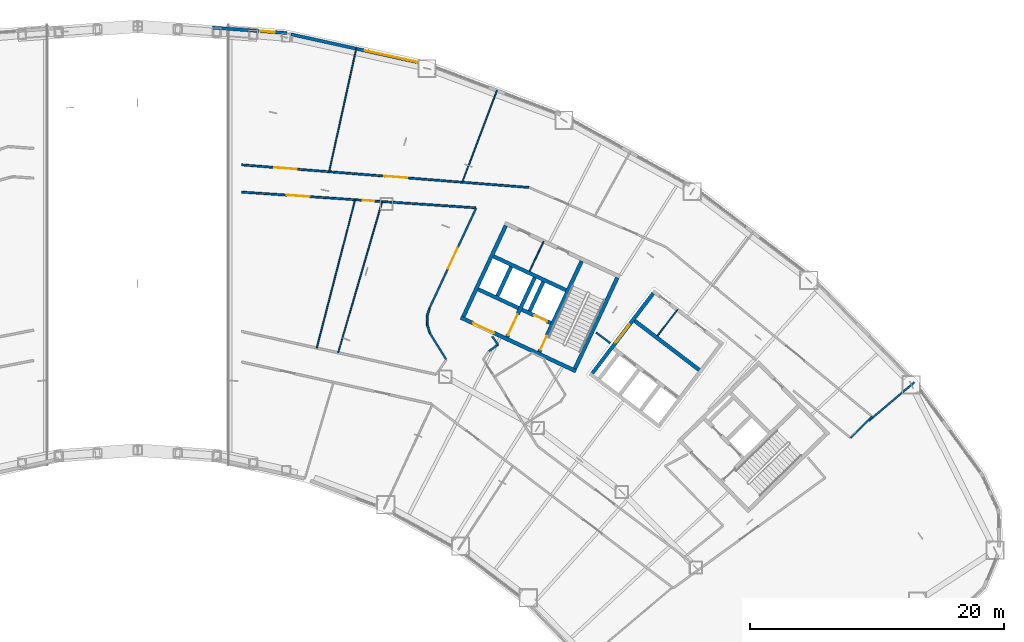
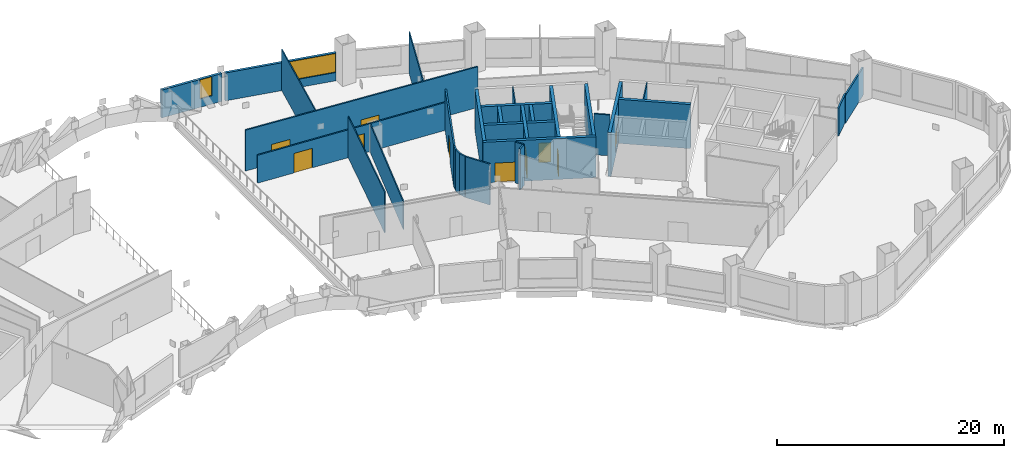
# One storey, part 11 of 24: 32 walls, 10 doors, 2 windows, 12 openings.
"""IFC4 building model written with IfcOpenShell, lengths in metres."""

from ifc_helpers import new_model, si_unit, direction, frame, frame_2d, origin, place, context, subcontext, project, spatial, rectangle, extrude, material, layer, layer_set, type_object, element, fill, save


model = new_model("IFC4")

# Units and contexts
model_context = context("Model", 3, precision=1e-05, world=origin(), true_north=direction((0.0, 1.0)))
body_context = subcontext(model_context, "Body", "Model", "MODEL_VIEW")
ifc_project = project(units=[si_unit("LENGTHUNIT", "METRE"), si_unit("AREAUNIT", "SQUARE_METRE"), si_unit("VOLUMEUNIT", "CUBIC_METRE"), si_unit("PLANEANGLEUNIT", "RADIAN"), si_unit("MASSUNIT", "GRAM", prefix="KILO")], contexts=[model_context])

# Site, building, storey
site_placement = place(None, origin())
site = spatial("IfcSite", under=ifc_project, at=site_placement, CompositionType="ELEMENT")
building_placement = place(site_placement, origin())
building = spatial("IfcBuilding", under=site, at=building_placement, Name="Tuul Gate Civic Tower", CompositionType="ELEMENT")
storey_placement = place(building_placement, frame((0.0, 0.0, 21.89990234375)))
storey = spatial("IfcBuildingStorey", under=building, at=storey_placement, Name="Level 04", CompositionType="ELEMENT", Elevation=21.89990234375)

# Wall, opening, door
ifc_material_1 = material(Name="Concrete C50/60", Category="concrete")
ifc_layer_1 = layer(ifc_material_1, 0.300048828125)
ifc_layer_set_1 = layer_set([ifc_layer_1], Name="Concrete C50/60")
wall_type_1 = type_object("IfcWallType", Name="Core wall C50/60", PredefinedType="SHEAR", material=ifc_layer_set_1)
wall_1_placement = place(storey_placement, frame((34.5283203125, -7.25, 0.0), z_axis=(0.0, 0.0, 1.0), x_axis=(-0.906310338845, 0.422612789327, 0.0)))
wall_1 = element("IfcWall", 1, at=wall_1_placement, inside=storey, type_object=wall_type_1, Name="Core wall", PredefinedType="SHEAR", context=body_context, shape_type="SweptSolid", body=[
    extrude(rectangle(XDim=9.999755859375, YDim=0.300048828125, at=frame_2d((5.0, 0.0))), origin(), (0.0, 0.0, 1.0), 4.400146484375),
])
opening_1_placement = place(wall_1_placement, frame((7.125, 0.0, 0.0)))
opening_1 = element("IfcOpeningElement", 2, at=opening_1_placement, cuts=wall_1, Name="Opening LB-E3-LOBBY-1", PredefinedType="OPENING", context=body_context, shape_type="SweptSolid", body=[
    extrude(rectangle(XDim=1.800048828125, YDim=2.10009765625, at=frame_2d((0.89990234375, 1.050048828125))), frame((0.0, 0.16015625, 0.0), z_axis=(0.0, -1.0, 0.0), x_axis=(1.0, 0.0, 0.0)), (0.0, 0.0, 1.0), 0.320068359375),
])
ifc_material_2 = material(Name="Steel", Category="steel")
door_type_1 = type_object("IfcDoorType", Name="Lobby door", OperationType="DOUBLE_DOOR_SINGLE_SWING", PredefinedType="DOOR", material=ifc_material_2)
door_1_placement = place(opening_1_placement, frame((1.800048828125, 0.0, 0.0), z_axis=(0.0, 0.0, 1.0), x_axis=(-1.0, 0.0, 0.0)))
door_1 = element("IfcDoor", 3, at=door_1_placement, inside=storey, type_object=door_type_1, Name="Lobby door E3-LOBBY", OperationType="DOUBLE_DOOR_SINGLE_SWING", OverallHeight=2.10009765625, OverallWidth=1.800048828125, PredefinedType="DOOR", context=body_context, shape_type="SweptSolid", body=[
    extrude(rectangle(XDim=1.800048828125, YDim=2.10009765625, at=frame_2d((0.900146484375, 1.050048828125))), frame((0.0, 0.02490234375, 0.0), z_axis=(0.0, -1.0, 0.0), x_axis=(1.0, 0.0, 0.0)), (0.0, 0.0, 1.0), 0.050048828125),
])
fill(opening_1, door_1)

wall_2_placement = place(storey_placement, frame((32.545654296875, -3.456787109375, 0.0), z_axis=(0.0, 0.0, 1.0), x_axis=(-0.906300357825, 0.42263419337, 0.0)))
wall_2 = element("IfcWall", 4, at=wall_2_placement, inside=storey, type_object=wall_type_1, Name="Core wall", PredefinedType="SHEAR", context=body_context, shape_type="SweptSolid", body=[
    extrude(rectangle(XDim=2.500244140625, YDim=0.300048828125, at=frame_2d((1.25, 0.0))), origin(), (0.0, 0.0, 1.0), 4.400146484375),
])
opening_2_placement = place(wall_2_placement, frame((0.324951171875, 0.0, 0.0)))
opening_2 = element("IfcOpeningElement", 5, at=opening_2_placement, cuts=wall_2, Name="Opening LD-FF-2", PredefinedType="OPENING", context=body_context, shape_type="SweptSolid", body=[
    extrude(rectangle(XDim=1.10009765625, YDim=2.10009765625, at=frame_2d((0.550048828125, 1.050048828125))), frame((0.0, 0.16015625, 0.0), z_axis=(0.0, -1.0, 0.0), x_axis=(1.0, 0.0, 0.0)), (0.0, 0.0, 1.0), 0.320068359375),
])
ifc_material_3 = material(Name="Stainless steel", Category="steel")
door_type_2 = type_object("IfcDoorType", Name="Landing door", OperationType="DOUBLE_DOOR_SLIDING", PredefinedType="DOOR", material=ifc_material_3)
door_2_placement = place(opening_2_placement, origin())
door_2 = element("IfcDoor", 6, at=door_2_placement, inside=storey, type_object=door_type_2, Name="Fire-fighting lift FF-2 landing door", OperationType="DOUBLE_DOOR_SLIDING", OverallHeight=2.10009765625, OverallWidth=1.10009765625, PredefinedType="DOOR", context=body_context, shape_type="SweptSolid", body=[
    extrude(rectangle(XDim=1.10009765625, YDim=2.10009765625, at=frame_2d((0.550048828125, 1.050048828125))), frame((0.0, 0.02490234375, 0.0), z_axis=(0.0, -1.0, 0.0), x_axis=(1.0, 0.0, 0.0)), (0.0, 0.0, 1.0), 0.050048828125),
])
fill(opening_2, door_2)

# Walls
wall_3_placement = place(storey_placement, frame((30.0078125, -2.2734375, 0.0), z_axis=(0.0, 0.0, 1.0), x_axis=(-0.90630071767, 0.422633421716, 0.0)))
element("IfcWall", 7, at=wall_3_placement, inside=storey, type_object=wall_type_1, Name="Core wall", PredefinedType="SHEAR", context=body_context, shape_type="SweptSolid", body=[
    extrude(rectangle(XDim=3.5, YDim=0.300048828125, at=frame_2d((1.75, 0.0))), origin(), (0.0, 0.0, 1.0), 4.400146484375),
])
wall_4_placement = place(storey_placement, frame((33.75, -0.873779296875, 0.0), z_axis=(0.0, 0.0, 1.0), x_axis=(-0.906300917592, 0.422632992999, 0.0)))
element("IfcWall", 8, at=wall_4_placement, inside=storey, type_object=wall_type_1, Name="Core wall", PredefinedType="SHEAR", context=body_context, shape_type="SweptSolid", body=[
    extrude(rectangle(XDim=6.300048828125, YDim=0.300048828125, at=frame_2d((3.14990234375, 0.0))), origin(), (0.0, 0.0, 1.0), 4.400146484375),
])
wall_5_placement = place(storey_placement, frame((34.455810546875, -7.05078125, 0.0), z_axis=(0.0, 0.0, 1.0), x_axis=(0.422570768258, 0.906329932096, 0.0)))
element("IfcWall", 9, at=wall_5_placement, inside=storey, type_object=wall_type_1, Name="Core wall", PredefinedType="SHEAR", context=body_context, shape_type="SweptSolid", body=[
    extrude(rectangle(XDim=7.900146484375, YDim=0.300048828125, at=frame_2d((3.9501953125, 0.0))), origin(), (0.0, 0.0, 1.0), 4.400146484375),
])

# Wall, opening, door
wall_6_placement = place(storey_placement, frame((31.646240234375, -5.740478515625, 0.0), z_axis=(0.0, 0.0, 1.0), x_axis=(0.422582604137, 0.906324413596, 0.0)))
wall_6 = element("IfcWall", 10, at=wall_6_placement, inside=storey, type_object=wall_type_1, Name="Core wall", PredefinedType="SHEAR", context=body_context, shape_type="SweptSolid", body=[
    extrude(rectangle(XDim=7.89990234375, YDim=0.300048828125, at=frame_2d((3.949951171875, 0.0))), origin(), (0.0, 0.0, 1.0), 4.400146484375),
])
opening_3_placement = place(wall_6_placement, frame((0.199951171875, 0.0, 0.0)))
opening_3 = element("IfcOpeningElement", 11, at=opening_3_placement, cuts=wall_6, Name="Opening SD-ST-4", PredefinedType="OPENING", context=body_context, shape_type="SweptSolid", body=[
    extrude(rectangle(XDim=1.199951171875, YDim=2.10009765625, at=frame_2d((0.60009765625, 1.050048828125))), frame((0.0, 0.16015625, 0.0), z_axis=(0.0, -1.0, 0.0), x_axis=(1.0, 0.0, 0.0)), (0.0, 0.0, 1.0), 0.320068359375),
])
ifc_material_4 = material(Name="Steel", Category="steel")
door_type_3 = type_object("IfcDoorType", Name="Stair door", OperationType="NOTDEFINED", PredefinedType="DOOR", material=ifc_material_4)
door_3_placement = place(opening_3_placement, origin())
door_3 = element("IfcDoor", 12, at=door_3_placement, inside=storey, type_object=door_type_3, Name="Stair door ST-4", OperationType="SINGLE_SWING_LEFT", OverallHeight=2.10009765625, OverallWidth=1.199951171875, PredefinedType="DOOR", context=body_context, shape_type="SweptSolid", body=[
    extrude(rectangle(XDim=1.199951171875, YDim=2.10009765625, at=frame_2d((0.60009765625, 1.050048828125))), frame((0.0, 0.02490234375, 0.0), z_axis=(0.0, -1.0, 0.0), x_axis=(1.0, 0.0, 0.0)), (0.0, 0.0, 1.0), 0.050048828125),
])
fill(opening_3, door_3)

# Wall
wall_7_placement = place(storey_placement, frame((30.886962890625, -2.517822265625, 0.0), z_axis=(0.0, 0.0, 1.0), x_axis=(0.422612891016, 0.906310291427, 0.0)))
element("IfcWall", 13, at=wall_7_placement, inside=storey, type_object=wall_type_1, Name="Core wall", PredefinedType="SHEAR", context=body_context, shape_type="SweptSolid", body=[
    extrude(rectangle(XDim=2.550048828125, YDim=0.300048828125, at=frame_2d((1.27490234375, 0.0))), origin(), (0.0, 0.0, 1.0), 4.400146484375),
])

# Wall, opening, door
wall_8_placement = place(storey_placement, frame((29.108642578125, -4.557373046875, 0.0), z_axis=(0.0, 0.0, 1.0), x_axis=(0.422566235356, 0.90633204552, 0.0)))
wall_8 = element("IfcWall", 14, at=wall_8_placement, inside=storey, type_object=wall_type_1, Name="Core wall", PredefinedType="SHEAR", context=body_context, shape_type="SweptSolid", body=[
    extrude(rectangle(XDim=5.150146484375, YDim=0.300048828125, at=frame_2d((2.5751953125, 0.0))), origin(), (0.0, 0.0, 1.0), 4.400146484375),
])
opening_4_placement = place(wall_8_placement, frame((0.175048828125, 0.0, 0.0)))
opening_4 = element("IfcOpeningElement", 15, at=opening_4_placement, cuts=wall_8, Name="Opening LB-E3-FLOBBY-1", PredefinedType="OPENING", context=body_context, shape_type="SweptSolid", body=[
    extrude(rectangle(XDim=1.800048828125, YDim=2.10009765625, at=frame_2d((0.89990234375, 1.050048828125))), frame((0.0, 0.16015625, 0.0), z_axis=(0.0, -1.0, 0.0), x_axis=(1.0, 0.0, 0.0)), (0.0, 0.0, 1.0), 0.320068359375),
])
door_4_placement = place(opening_4_placement, frame((1.800048828125, 0.0, 0.0), z_axis=(0.0, 0.0, 1.0), x_axis=(-1.0, 0.0, 0.0)))
door_4 = element("IfcDoor", 16, at=door_4_placement, inside=storey, type_object=door_type_1, Name="Lobby door E3-FLOBBY", OperationType="DOUBLE_DOOR_SINGLE_SWING", OverallHeight=2.10009765625, OverallWidth=1.800048828125, PredefinedType="DOOR", context=body_context, shape_type="SweptSolid", body=[
    extrude(rectangle(XDim=1.800048828125, YDim=2.10009765625, at=frame_2d((0.900146484375, 1.050048828125))), frame((0.0, 0.02490234375, 0.0), z_axis=(0.0, -1.0, 0.0), x_axis=(1.0, 0.0, 0.0)), (0.0, 0.0, 1.0), 0.050048828125),
])
fill(opening_4, door_4)

# Walls
wall_9_placement = place(storey_placement, frame((28.349365234375, -1.33447265625, 0.0), z_axis=(0.0, 0.0, 1.0), x_axis=(0.422612891016, 0.906310291427, 0.0)))
element("IfcWall", 17, at=wall_9_placement, inside=storey, type_object=wall_type_1, Name="Core wall", PredefinedType="SHEAR", context=body_context, shape_type="SweptSolid", body=[
    extrude(rectangle(XDim=2.550048828125, YDim=0.300048828125, at=frame_2d((1.27490234375, 0.0))), origin(), (0.0, 0.0, 1.0), 4.400146484375),
])
wall_10_placement = place(storey_placement, frame((25.66455078125, -2.951416015625, 0.0), z_axis=(0.0, 0.0, 1.0), x_axis=(0.422582604137, 0.906324413596, 0.0)))
element("IfcWall", 18, at=wall_10_placement, inside=storey, type_object=wall_type_1, Name="Core wall", PredefinedType="SHEAR", context=body_context, shape_type="SweptSolid", body=[
    extrude(rectangle(XDim=7.89990234375, YDim=0.300048828125, at=frame_2d((3.949951171875, 0.0))), origin(), (0.0, 0.0, 1.0), 4.400146484375),
])

# Wall, openings, doors
ifc_material_5 = material(Name="Gypsum board partition")
ifc_layer_2 = layer(ifc_material_5, 0.14990234375)
ifc_layer_set_2 = layer_set([ifc_layer_2], Name="Gypsum board partition")
wall_type_2 = type_object("IfcWallType", Name="Corridor wall P150", PredefinedType="PARTITIONING", material=ifc_layer_set_2)
wall_11_placement = place(storey_placement, frame((8.20068359375, 9.0029296875, 0.0), z_axis=(0.0, 0.0, 1.0), x_axis=(0.996916983405, -0.078463546942, 0.0)))
wall_11 = element("IfcWall", 19, at=wall_11_placement, inside=storey, type_object=wall_type_2, Name="p014", PredefinedType="PARTITIONING", context=body_context, shape_type="SweptSolid", body=[
    extrude(rectangle(XDim=22.714111328125, YDim=0.14990234375, at=frame_2d((11.35693359375, 0.0))), origin(), (0.0, 0.0, 1.0), 4.400146484375),
])
opening_5_placement = place(wall_11_placement, frame((11.26904296875, 0.0, 0.0)))
opening_5 = element("IfcOpeningElement", 20, at=opening_5_placement, cuts=wall_11, Name="Opening QD-D04", PredefinedType="OPENING", context=body_context, shape_type="SweptSolid", body=[
    extrude(rectangle(XDim=1.800048828125, YDim=2.10009765625, at=frame_2d((0.89990234375, 1.050048828125))), frame((0.0, 0.0849609375, 0.0), z_axis=(0.0, -1.0, 0.0), x_axis=(1.0, 0.0, 0.0)), (0.0, 0.0, 1.0), 0.169921875),
])
opening_6_placement = place(wall_11_placement, frame((2.55419921875, 0.0, 0.0)))
opening_6 = element("IfcOpeningElement", 21, at=opening_6_placement, cuts=wall_11, Name="Opening QD-D05", PredefinedType="OPENING", context=body_context, shape_type="SweptSolid", body=[
    extrude(rectangle(XDim=1.800048828125, YDim=2.10009765625, at=frame_2d((0.89990234375, 1.050048828125))), frame((0.0, 0.0849609375, 0.0), z_axis=(0.0, -1.0, 0.0), x_axis=(1.0, 0.0, 0.0)), (0.0, 0.0, 1.0), 0.169921875),
])
ifc_material_6 = material(Name="Timber door leaf, double", Category="wood")
door_type_4 = type_object("IfcDoorType", Name="Door D18", OperationType="DOUBLE_DOOR_SINGLE_SWING", PredefinedType="DOOR", material=ifc_material_6)
door_5_placement = place(opening_5_placement, origin())
door_5 = element("IfcDoor", 22, at=door_5_placement, inside=storey, type_object=door_type_4, Name="Door QD-D04", OperationType="DOUBLE_DOOR_SINGLE_SWING", OverallHeight=2.10009765625, OverallWidth=1.800048828125, PredefinedType="DOOR", context=body_context, shape_type="SweptSolid", body=[
    extrude(rectangle(XDim=1.800048828125, YDim=2.10009765625, at=frame_2d((0.89990234375, 1.050048828125))), frame((0.0, 0.02490234375, 0.0), z_axis=(0.0, -1.0, 0.0), x_axis=(1.0, 0.0, 0.0)), (0.0, 0.0, 1.0), 0.050048828125),
])
fill(opening_5, door_5)
door_6_placement = place(opening_6_placement, origin())
door_6 = element("IfcDoor", 23, at=door_6_placement, inside=storey, type_object=door_type_4, Name="Door QD-D05", OperationType="DOUBLE_DOOR_SINGLE_SWING", OverallHeight=2.10009765625, OverallWidth=1.800048828125, PredefinedType="DOOR", context=body_context, shape_type="SweptSolid", body=[
    extrude(rectangle(XDim=1.800048828125, YDim=2.10009765625, at=frame_2d((0.89990234375, 1.050048828125))), frame((0.0, 0.02490234375, 0.0), z_axis=(0.0, -1.0, 0.0), x_axis=(1.0, 0.0, 0.0)), (0.0, 0.0, 1.0), 0.050048828125),
])
fill(opening_6, door_6)

# Walls
wall_12_placement = place(storey_placement, frame((36.115234375, -4.20166015625, 0.0), z_axis=(0.0, 0.0, 1.0), x_axis=(0.798634159739, -0.601816815068, 0.0)))
element("IfcWall", 24, at=wall_12_placement, inside=storey, type_object=wall_type_2, Name="p045", PredefinedType="PARTITIONING", context=body_context, shape_type="SweptSolid", body=[
    extrude(rectangle(XDim=1.417724609375, YDim=0.14990234375, at=frame_2d((0.708984375, 0.0))), origin(), (0.0, 0.0, 1.0), 4.400146484375),
])
wall_13_placement = place(storey_placement, frame((22.8173828125, -3.597412109375, 0.0), z_axis=(0.0, 0.0, 1.0), x_axis=(0.294411830744, -0.955678645737, 0.0)))
element("IfcWall", 25, at=wall_13_placement, inside=storey, type_object=wall_type_2, Name="p053", PredefinedType="PARTITIONING", context=body_context, shape_type="SweptSolid", body=[
    extrude(rectangle(XDim=0.68408203125, YDim=0.14990234375, at=frame_2d((0.342041015625, 0.0))), origin(), (0.0, 0.0, 1.0), 4.400146484375),
])
wall_14_placement = place(storey_placement, frame((23.018798828125, -4.251220703125, 0.0), z_axis=(0.0, 0.0, 1.0), x_axis=(0.528052683198, -0.849211613067, 0.0)))
element("IfcWall", 26, at=wall_14_placement, inside=storey, type_object=wall_type_2, Name="p054", PredefinedType="PARTITIONING", context=body_context, shape_type="SweptSolid", body=[
    extrude(rectangle(XDim=2.448486328125, YDim=0.14990234375, at=frame_2d((1.22412109375, 0.0))), origin(), (0.0, 0.0, 1.0), 4.400146484375),
])

# Wall, opening, door
wall_15_placement = place(storey_placement, frame((22.989990234375, -2.298583984375, 0.0), z_axis=(0.0, 0.0, 1.0), x_axis=(0.422581329524, 0.906325007896, 0.0)))
wall_15 = element("IfcWall", 27, at=wall_15_placement, inside=storey, type_object=wall_type_2, Name="p059", PredefinedType="PARTITIONING", context=body_context, shape_type="SweptSolid", body=[
    extrude(rectangle(XDim=8.701904296875, YDim=0.14990234375, at=frame_2d((4.35107421875, 0.0))), origin(), (0.0, 0.0, 1.0), 4.400146484375),
])
opening_7_placement = place(wall_15_placement, frame((3.450927734375, 0.0, 0.0)))
opening_7 = element("IfcOpeningElement", 28, at=opening_7_placement, cuts=wall_15, Name="Opening QD-D24", PredefinedType="OPENING", context=body_context, shape_type="SweptSolid", body=[
    extrude(rectangle(XDim=1.800048828125, YDim=2.10009765625, at=frame_2d((0.89990234375, 1.050048828125))), frame((0.0, 0.0849609375, 0.0), z_axis=(0.0, -1.0, 0.0), x_axis=(1.0, 0.0, 0.0)), (0.0, 0.0, 1.0), 0.169921875),
])
door_7_placement = place(opening_7_placement, origin())
door_7 = element("IfcDoor", 29, at=door_7_placement, inside=storey, type_object=door_type_4, Name="Door QD-D24", OperationType="DOUBLE_DOOR_SINGLE_SWING", OverallHeight=2.10009765625, OverallWidth=1.800048828125, PredefinedType="DOOR", context=body_context, shape_type="SweptSolid", body=[
    extrude(rectangle(XDim=1.800048828125, YDim=2.10009765625, at=frame_2d((0.89990234375, 1.050048828125))), frame((0.0, 0.02490234375, 0.0), z_axis=(0.0, -1.0, 0.0), x_axis=(1.0, 0.0, 0.0)), (0.0, 0.0, 1.0), 0.050048828125),
])
fill(opening_7, door_7)

# Walls
wall_16_placement = place(storey_placement, frame((22.815185546875, -2.884521484375, 0.0), z_axis=(0.0, 0.0, 1.0), x_axis=(0.28588231275, 0.958264735476, 0.0)))
element("IfcWall", 30, at=wall_16_placement, inside=storey, type_object=wall_type_2, Name="p060", PredefinedType="PARTITIONING", context=body_context, shape_type="SweptSolid", body=[
    extrude(rectangle(XDim=0.611572265625, YDim=0.14990234375, at=frame_2d((0.3056640625, 0.0))), origin(), (0.0, 0.0, 1.0), 4.400146484375),
])
wall_17_placement = place(storey_placement, frame((22.813232421875, -2.89892578125, 0.0), z_axis=(0.0, 0.0, 1.0), x_axis=(0.005941873435, -0.999982346914, 0.0)))
element("IfcWall", 31, at=wall_17_placement, inside=storey, type_object=wall_type_2, Name="p061", PredefinedType="PARTITIONING", context=body_context, shape_type="SweptSolid", body=[
    extrude(rectangle(XDim=0.698486328125, YDim=0.14990234375, at=frame_2d((0.34912109375, 0.0))), origin(), (0.0, 0.0, 1.0), 4.400146484375),
])
wall_18_placement = place(storey_placement, frame((27.939208984375, -4.508544921875, 0.0), z_axis=(0.0, 0.0, 1.0), x_axis=(0.56733713865, -0.823485622891, 0.0)))
element("IfcWall", 32, at=wall_18_placement, inside=storey, type_object=wall_type_2, Name="p083", PredefinedType="PARTITIONING", context=body_context, shape_type="SweptSolid", body=[
    extrude(rectangle(XDim=0.807373046875, YDim=0.14990234375, at=frame_2d((0.40380859375, 0.0))), origin(), (0.0, 0.0, 1.0), 4.400146484375),
])
wall_19_placement = place(storey_placement, frame((27.677001953125, -5.67041015625, 0.0), z_axis=(0.0, 0.0, 1.0), x_axis=(0.823014903921, 0.568019777757, 0.0)))
element("IfcWall", 33, at=wall_19_placement, inside=storey, type_object=wall_type_2, Name="p084", PredefinedType="PARTITIONING", context=body_context, shape_type="SweptSolid", body=[
    extrude(rectangle(XDim=0.875, YDim=0.14990234375, at=frame_2d((0.4375, 0.0))), origin(), (0.0, 0.0, 1.0), 4.400146484375),
])
ifc_material_7 = material(Name="Gypsum board partition")
ifc_layer_3 = layer(ifc_material_7, 0.14990234375)
ifc_layer_set_3 = layer_set([ifc_layer_3], Name="Gypsum board partition")
wall_type_3 = type_object("IfcWallType", Name="Corridor wall P150 3000 HIGH", PredefinedType="PARTITIONING", material=ifc_layer_set_3)
wall_20_placement = place(storey_placement, frame((56.171875, -12.51318359375, 0.0), z_axis=(0.0, 0.0, 1.0), x_axis=(0.708479257306, 0.70573163594, 0.0)))
element("IfcWall", 34, at=wall_20_placement, inside=storey, type_object=wall_type_3, Name="p005", PredefinedType="PARTITIONING", context=body_context, shape_type="SweptSolid", body=[
    extrude(rectangle(XDim=2.399169921875, YDim=0.14990234375, at=frame_2d((1.19970703125, 0.0))), origin(), (0.0, 0.0, 1.0), 3.0),
])
wall_21_placement = place(storey_placement, frame((57.63232421875, -11.14892578125, 0.0), z_axis=(0.0, 0.0, 1.0), x_axis=(0.762882991412, 0.646536573919, 0.0)))
element("IfcWall", 35, at=wall_21_placement, inside=storey, type_object=wall_type_3, Name="p009", PredefinedType="PARTITIONING", context=body_context, shape_type="SweptSolid", body=[
    extrude(rectangle(XDim=4.694091796875, YDim=0.14990234375, at=frame_2d((2.34716796875, 0.0))), origin(), (0.0, 0.0, 1.0), 3.0),
])

# Wall, openings, doors
wall_22_placement = place(storey_placement, frame((8.199951171875, 6.85693359375, 0.0), z_axis=(0.0, 0.0, 1.0), x_axis=(0.997749202591, -0.067056161011, 0.0)))
wall_22 = element("IfcWall", 36, at=wall_22_placement, inside=storey, type_object=wall_type_3, Name="p058", PredefinedType="PARTITIONING", context=body_context, shape_type="SweptSolid", body=[
    extrude(rectangle(XDim=18.49169921875, YDim=0.14990234375, at=frame_2d((9.245849609375, 0.0))), origin(), (0.0, 0.0, 1.0), 3.0),
])
opening_8_placement = place(wall_22_placement, frame((9.5751953125, 0.0, 0.0)))
opening_8 = element("IfcOpeningElement", 37, at=opening_8_placement, cuts=wall_22, Name="Opening QD-D25", PredefinedType="OPENING", context=body_context, shape_type="SweptSolid", body=[
    extrude(rectangle(XDim=0.89990234375, YDim=2.10009765625, at=frame_2d((0.449951171875, 1.050048828125))), frame((0.0, 0.0849609375, 0.0), z_axis=(0.0, -1.0, 0.0), x_axis=(1.0, 0.0, 0.0)), (0.0, 0.0, 1.0), 0.169921875),
])
opening_9_placement = place(wall_22_placement, frame((3.57763671875, 0.0, 0.0)))
opening_9 = element("IfcOpeningElement", 38, at=opening_9_placement, cuts=wall_22, Name="Opening QD-D26", PredefinedType="OPENING", context=body_context, shape_type="SweptSolid", body=[
    extrude(rectangle(XDim=1.800048828125, YDim=2.10009765625, at=frame_2d((0.89990234375, 1.050048828125))), frame((0.0, 0.0849609375, 0.0), z_axis=(0.0, -1.0, 0.0), x_axis=(1.0, 0.0, 0.0)), (0.0, 0.0, 1.0), 0.169921875),
])
ifc_material_8 = material(Name="Timber door leaf", Category="wood")
door_type_5 = type_object("IfcDoorType", Name="Door D09", OperationType="NOTDEFINED", PredefinedType="DOOR", material=ifc_material_8)
door_8_placement = place(opening_8_placement, frame((0.89990234375, 0.0, 0.0), z_axis=(0.0, 0.0, 1.0), x_axis=(-1.0, 0.0, 0.0)))
door_8 = element("IfcDoor", 39, at=door_8_placement, inside=storey, type_object=door_type_5, Name="Door QD-D25", OperationType="SINGLE_SWING_LEFT", OverallHeight=2.10009765625, OverallWidth=0.89990234375, PredefinedType="DOOR", context=body_context, shape_type="SweptSolid", body=[
    extrude(rectangle(XDim=0.89990234375, YDim=2.10009765625, at=frame_2d((0.449951171875, 1.050048828125))), frame((0.0, 0.02490234375, 0.0), z_axis=(0.0, -1.0, 0.0), x_axis=(1.0, 0.0, 0.0)), (0.0, 0.0, 1.0), 0.050048828125),
])
fill(opening_8, door_8)
door_9_placement = place(opening_9_placement, frame((1.800048828125, 0.0, 0.0), z_axis=(0.0, 0.0, 1.0), x_axis=(-1.0, 0.0, 0.0)))
door_9 = element("IfcDoor", 40, at=door_9_placement, inside=storey, type_object=door_type_4, Name="Door QD-D26", OperationType="DOUBLE_DOOR_SINGLE_SWING", OverallHeight=2.10009765625, OverallWidth=1.800048828125, PredefinedType="DOOR", context=body_context, shape_type="SweptSolid", body=[
    extrude(rectangle(XDim=1.800048828125, YDim=2.10009765625, at=frame_2d((0.900146484375, 1.050048828125))), frame((0.0, 0.02490234375, 0.0), z_axis=(0.0, -1.0, 0.0), x_axis=(1.0, 0.0, 0.0)), (0.0, 0.0, 1.0), 0.050048828125),
])
fill(opening_9, door_9)

# Wall, opening, window
ifc_material_9 = material(Name="Precast concrete C40/50", Category="concrete")
ifc_layer_4 = layer(ifc_material_9, 0.25)
ifc_layer_set_4 = layer_set([ifc_layer_4], Name="Precast concrete C40/50")
wall_type_4 = type_object("IfcWallType", Name="External wall 3000 HIGH", PredefinedType="STANDARD", material=ifc_layer_set_4)
wall_23_placement = place(storey_placement, frame((22.092041015625, 17.081787109375, 0.0), z_axis=(0.0, 0.0, 1.0), x_axis=(-0.976572661931, 0.215187908511, 0.0)))
wall_23 = element("IfcWall", 41, at=wall_23_placement, inside=storey, type_object=wall_type_4, Name="External wall", PredefinedType="STANDARD", context=body_context, shape_type="SweptSolid", body=[
    extrude(rectangle(XDim=10.267578125, YDim=0.25, at=frame_2d((5.1337890625, 0.0))), origin(), (0.0, 0.0, 1.0), 3.0),
])
opening_10_placement = place(wall_23_placement, frame((0.04296875, 0.0, 0.89990234375)))
opening_10 = element("IfcOpeningElement", 42, at=opening_10_placement, cuts=wall_23, Name="Opening W94", PredefinedType="OPENING", context=body_context, shape_type="SweptSolid", body=[
    extrude(rectangle(XDim=4.25, YDim=2.050048828125, at=frame_2d((2.125, 1.02490234375))), frame((0.0, 0.135009765625, 0.0), z_axis=(0.0, -1.0, 0.0), x_axis=(1.0, 0.0, 0.0)), (0.0, 0.0, 1.0), 0.27001953125),
])
ifc_material_10 = material(Name="Glass", Category="glass")
window_type_1 = type_object("IfcWindowType", Name="Window W94 4250 x 2050", PartitioningType="SINGLE_PANEL", PredefinedType="WINDOW", material=ifc_material_10)
window_1_placement = place(opening_10_placement, origin())
window_1 = element("IfcWindow", 43, at=window_1_placement, inside=storey, type_object=window_type_1, Name="Window", OverallHeight=2.050048828125, OverallWidth=4.25, PartitioningType="SINGLE_PANEL", PredefinedType="WINDOW", context=body_context, shape_type="SweptSolid", body=[
    extrude(rectangle(XDim=4.25, YDim=2.050048828125, at=frame_2d((2.125, 1.02490234375))), frame((0.0, 0.030029296875, 0.0), z_axis=(0.0, -1.0, 0.0), x_axis=(1.0, 0.0, 0.0)), (0.0, 0.0, 1.0), 0.06005859375),
])
fill(opening_10, window_1)

wall_24_placement = place(storey_placement, frame((11.77392578125, 19.38671875, 0.0), z_axis=(0.0, 0.0, 1.0), x_axis=(-0.997387174204, 0.072241433629, 0.0)))
wall_24 = element("IfcWall", 44, at=wall_24_placement, inside=storey, type_object=wall_type_4, Name="External wall", PredefinedType="STANDARD", context=body_context, shape_type="SweptSolid", body=[
    extrude(rectangle(XDim=5.897216796875, YDim=0.25, at=frame_2d((2.94873046875, 0.0))), origin(), (0.0, 0.0, 1.0), 3.0),
])
opening_11_placement = place(wall_24_placement, frame((0.97998046875, 0.0, 0.89990234375)))
opening_11 = element("IfcOpeningElement", 45, at=opening_11_placement, cuts=wall_24, Name="Opening W95", PredefinedType="OPENING", context=body_context, shape_type="SweptSolid", body=[
    extrude(rectangle(XDim=1.14990234375, YDim=2.050048828125, at=frame_2d((0.574951171875, 1.02490234375))), frame((0.0, 0.135009765625, 0.0), z_axis=(0.0, -1.0, 0.0), x_axis=(1.0, 0.0, 0.0)), (0.0, 0.0, 1.0), 0.27001953125),
])
ifc_material_11 = material(Name="Glass", Category="glass")
window_type_2 = type_object("IfcWindowType", Name="Window W95 1150 x 2050", PartitioningType="SINGLE_PANEL", PredefinedType="WINDOW", material=ifc_material_11)
window_2_placement = place(opening_11_placement, origin())
window_2 = element("IfcWindow", 46, at=window_2_placement, inside=storey, type_object=window_type_2, Name="Window", OverallHeight=2.050048828125, OverallWidth=1.14990234375, PartitioningType="SINGLE_PANEL", PredefinedType="WINDOW", context=body_context, shape_type="SweptSolid", body=[
    extrude(rectangle(XDim=1.14990234375, YDim=2.050048828125, at=frame_2d((0.574951171875, 1.02490234375))), frame((0.0, 0.030029296875, 0.0), z_axis=(0.0, -1.0, 0.0), x_axis=(1.0, 0.0, 0.0)), (0.0, 0.0, 1.0), 0.06005859375),
])
fill(opening_11, window_2)

# Wall
ifc_material_12 = material(Name="Concrete C40/50", Category="concrete")
ifc_layer_5 = layer(ifc_material_12, 0.300048828125)
ifc_layer_set_5 = layer_set([ifc_layer_5], Name="Concrete C40/50")
wall_type_5 = type_object("IfcWallType", Name="Lift shaft wall C40/50", PredefinedType="STANDARD", material=ifc_layer_set_5)
wall_25_placement = place(storey_placement, frame((44.254638671875, -7.15966796875, -0.349853515625), z_axis=(0.0, 0.0, 1.0), x_axis=(-0.795565675562, 0.605867358312, 0.0)))
element("IfcWall", 47, at=wall_25_placement, inside=storey, type_object=wall_type_5, Name="Shaft wall", PredefinedType="STANDARD", context=body_context, shape_type="SweptSolid", body=[
    extrude(rectangle(XDim=6.400146484375, YDim=0.300048828125, at=frame_2d((3.2001953125, 0.0))), origin(), (0.0, 0.0, 1.0), 4.75),
])

# Wall, opening, door
wall_26_placement = place(storey_placement, frame((35.8330078125, -7.408203125, -0.349853515625), z_axis=(0.0, 0.0, 1.0), x_axis=(0.605769437763, 0.795640237967, 0.0)))
wall_26 = element("IfcWall", 48, at=wall_26_placement, inside=storey, type_object=wall_type_5, Name="Shaft wall", PredefinedType="STANDARD", context=body_context, shape_type="SweptSolid", body=[
    extrude(rectangle(XDim=7.900146484375, YDim=0.300048828125, at=frame_2d((3.9501953125, 0.0))), origin(), (0.0, 0.0, 1.0), 4.75),
])
opening_12_placement = place(wall_26_placement, frame((3.02490234375, 0.0, 0.35009765625)))
opening_12 = element("IfcOpeningElement", 49, at=opening_12_placement, cuts=wall_26, Name="Opening LB-E2-LOBBY-1", PredefinedType="OPENING", context=body_context, shape_type="SweptSolid", body=[
    extrude(rectangle(XDim=1.800048828125, YDim=2.10009765625, at=frame_2d((0.89990234375, 1.050048828125))), frame((0.0, 0.16015625, 0.0), z_axis=(0.0, -1.0, 0.0), x_axis=(1.0, 0.0, 0.0)), (0.0, 0.0, 1.0), 0.320068359375),
])
door_10_placement = place(opening_12_placement, frame((1.800048828125, 0.0, 0.0), z_axis=(0.0, 0.0, 1.0), x_axis=(-1.0, 0.0, 0.0)))
door_10 = element("IfcDoor", 50, at=door_10_placement, inside=storey, type_object=door_type_1, Name="Lobby door E2-LOBBY", OperationType="DOUBLE_DOOR_SINGLE_SWING", OverallHeight=2.10009765625, OverallWidth=1.800048828125, PredefinedType="DOOR", context=body_context, shape_type="SweptSolid", body=[
    extrude(rectangle(XDim=1.800048828125, YDim=2.10009765625, at=frame_2d((0.900146484375, 1.050048828125))), frame((0.0, 0.02490234375, 0.0), z_axis=(0.0, -1.0, 0.0), x_axis=(1.0, 0.0, 0.0)), (0.0, 0.0, 1.0), 0.050048828125),
])
fill(opening_12, door_10)

# Walls
ifc_material_13 = material(Name="Gypsum board partition")
ifc_layer_6 = layer(ifc_material_13, 0.10009765625)
ifc_layer_set_6 = layer_set([ifc_layer_6], Name="Gypsum board partition")
wall_type_6 = type_object("IfcWallType", Name="Partition P100", PredefinedType="PARTITIONING", material=ifc_layer_set_6)
wall_27_placement = place(storey_placement, frame((25.57666015625, 7.635498046875, 0.0), z_axis=(0.0, 0.0, 1.0), x_axis=(0.353702309759, 0.935358046991, 0.0)))
element("IfcWall", 51, at=wall_27_placement, inside=storey, type_object=wall_type_6, Name="p012", PredefinedType="PARTITIONING", context=body_context, shape_type="SweptSolid", body=[
    extrude(rectangle(XDim=7.72509765625, YDim=0.10009765625, at=frame_2d((3.862548828125, 0.0))), origin(), (0.0, 0.0, 1.0), 4.400146484375),
])
wall_28_placement = place(storey_placement, frame((15.087890625, 8.4609375, 0.0), z_axis=(0.0, 0.0, 1.0), x_axis=(0.215230382331, 0.976563301851, 0.0)))
element("IfcWall", 52, at=wall_28_placement, inside=storey, type_object=wall_type_6, Name="p015", PredefinedType="PARTITIONING", context=body_context, shape_type="SweptSolid", body=[
    extrude(rectangle(XDim=9.930908203125, YDim=0.10009765625, at=frame_2d((4.96533203125, 0.0))), origin(), (0.0, 0.0, 1.0), 4.400146484375),
])
wall_29_placement = place(storey_placement, frame((14.11328125, -5.427734375, 0.0), z_axis=(0.0, 0.0, 1.0), x_axis=(0.250376610606, 0.968148517977, 0.0)))
element("IfcWall", 53, at=wall_29_placement, inside=storey, type_object=wall_type_6, Name="p062", PredefinedType="PARTITIONING", context=body_context, shape_type="SweptSolid", body=[
    extrude(rectangle(XDim=12.06884765625, YDim=0.10009765625, at=frame_2d((6.034423828125, 0.0))), origin(), (0.0, 0.0, 1.0), 4.400146484375),
])
wall_30_placement = place(storey_placement, frame((40.96435546875, -4.46533203125, 0.0), z_axis=(0.0, 0.0, 1.0), x_axis=(0.605768745095, 0.795640765337, 0.0)))
element("IfcWall", 54, at=wall_30_placement, inside=storey, type_object=wall_type_6, Name="bE2-BAND-0", PredefinedType="PARTITIONING", context=body_context, shape_type="SweptSolid", body=[
    extrude(rectangle(XDim=2.599853515625, YDim=0.10009765625, at=frame_2d((1.2998046875, 0.0))), origin(), (0.0, 0.0, 1.0), 4.400146484375),
])
wall_31_placement = place(storey_placement, frame((30.890380859375, 0.625, 0.0), z_axis=(0.0, 0.0, 1.0), x_axis=(0.422597606916, 0.906317418253, 0.0)))
element("IfcWall", 55, at=wall_31_placement, inside=storey, type_object=wall_type_6, Name="bE3-BAND-0", PredefinedType="PARTITIONING", context=body_context, shape_type="SweptSolid", body=[
    extrude(rectangle(XDim=2.600341796875, YDim=0.10009765625, at=frame_2d((1.30029296875, 0.0))), origin(), (0.0, 0.0, 1.0), 4.400146484375),
])
ifc_material_14 = material(Name="Gypsum board partition")
ifc_layer_7 = layer(ifc_material_14, 0.10009765625)
ifc_layer_set_7 = layer_set([ifc_layer_7], Name="Gypsum board partition")
wall_type_7 = type_object("IfcWallType", Name="Partition P100 3000 HIGH", PredefinedType="PARTITIONING", material=ifc_layer_set_7)
wall_32_placement = place(storey_placement, frame((15.7978515625, -5.80029296875, 0.0), z_axis=(0.0, 0.0, 1.0), x_axis=(0.279828498024, 0.960050004788, 0.0)))
element("IfcWall", 56, at=wall_32_placement, inside=storey, type_object=wall_type_7, Name="p052", PredefinedType="PARTITIONING", context=body_context, shape_type="SweptSolid", body=[
    extrude(rectangle(XDim=12.4091796875, YDim=0.10009765625, at=frame_2d((6.20458984375, 0.0))), origin(), (0.0, 0.0, 1.0), 3.0),
])

save(model, "model.ifc")
